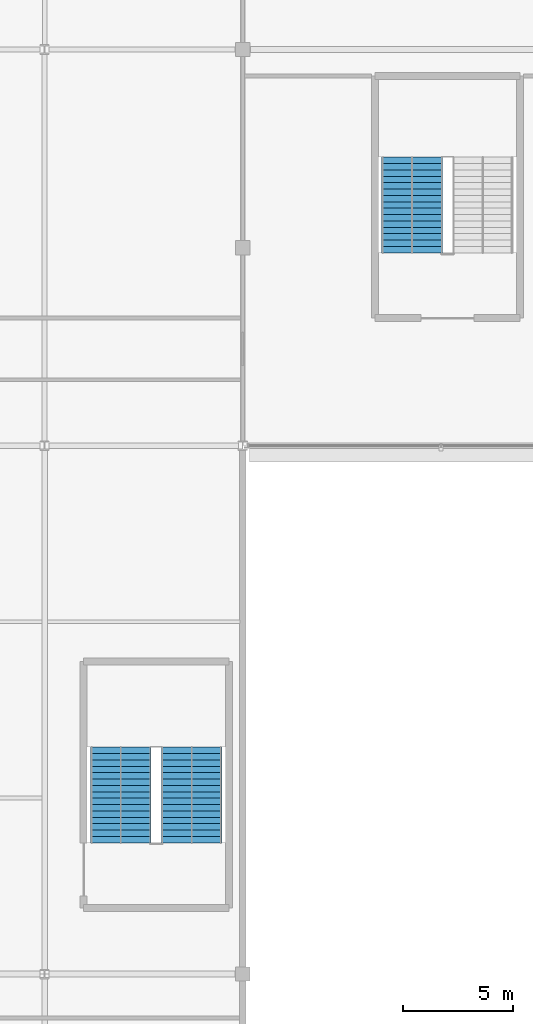
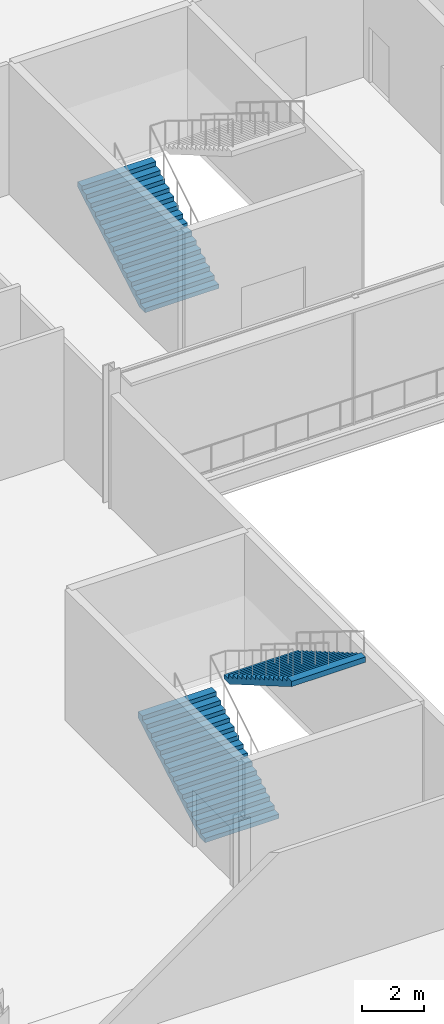
# One storey, part 86 of 113: 3 stair flights, 2 elements without a shape of their own.
"""IFC4 building model written with IfcOpenShell, lengths in metres."""

from ifc_helpers import new_model, si_unit, direction, frame, origin, place, context, subcontext, project, spatial, polygons, material, type_object, element, aggregate, save


model = new_model("IFC4")

# Units and contexts
model_context = context("Model", 3, precision=1e-05, world=origin(), true_north=direction((0.0, 1.0)))
body_context = subcontext(model_context, "Body", "Model", "MODEL_VIEW")
ifc_project = project(units=[si_unit("LENGTHUNIT", "METRE"), si_unit("AREAUNIT", "SQUARE_METRE"), si_unit("VOLUMEUNIT", "CUBIC_METRE"), si_unit("PLANEANGLEUNIT", "RADIAN"), si_unit("MASSUNIT", "GRAM", prefix="KILO")], contexts=[model_context])

# Site, building, storey
site_placement = place(None, origin())
site = spatial("IfcSite", under=ifc_project, at=site_placement, CompositionType="ELEMENT")
building_placement = place(site_placement, origin())
building = spatial("IfcBuilding", under=site, at=building_placement, Name="Kisiwana Market Hall", CompositionType="ELEMENT")
storey_placement = place(building_placement, frame((0.0, 0.0, 6.0)))
storey = spatial("IfcBuildingStorey", under=building, at=storey_placement, Name="L01", CompositionType="ELEMENT", Elevation=6.0)

# Stair, stair flights
ifc_material_1 = material(Name="Concrete C32/40", Category="concrete")
stair_type = type_object("IfcStairType", Name="ST-ESC-5400", PredefinedType="TWO_STRAIGHT_RUN_STAIR", material=ifc_material_1)
stair_1_placement = place(storey_placement, origin())
stair_1 = element("IfcStair", 1, at=stair_1_placement, inside=storey, type_object=stair_type, Name="Escape stair ST-W10-L01", PredefinedType="TWO_STRAIGHT_RUN_STAIR")
ifc_material_2 = material(Name="Concrete C32/40", Category="concrete")
stair_flight_type = type_object("IfcStairFlightType", Name="SF-ESC-5400", PredefinedType="STRAIGHT", material=ifc_material_2)
stair_flight_1_placement = place(storey_placement, frame((39.4599609375, 65.9599609375, 0.0), z_axis=(0.0, 0.0, 1.0), x_axis=(0.0, 1.0, 0.0)))
stair_flight_1 = element("IfcStairFlight", 2, at=stair_flight_1_placement, type_object=stair_flight_type, Name="ST-W10-L01 flight 1", NumberOfRisers=16, NumberOfTreads=15, PredefinedType="STRAIGHT", RiserHeight=0.16875, TreadLength=0.29, context=body_context, shape_type="Tessellation", body=[
    polygons([(0.0, -1.380127, 0.0), (0.0, -0.690125, 0.0), (0.0, -0.000122, 0.0), (0.0, 0.68988, 0.0), (0.0, 1.379883, 0.0), (0.0, -1.380127, 0.168701), (0.0, -0.690125, 0.168701), (0.0, -0.000122, 0.168701), (0.0, 0.68988, 0.168701), (0.0, 1.379883, 0.168701), (0.290039, -1.380127, 0.168701), (0.290039, -0.690125, 0.168701), (0.290039, -0.000122, 0.168701), (0.290039, 0.68988, 0.168701), (0.290039, 1.379883, 0.168701), (0.290039, -1.380127, 0.337402), (0.290039, -0.690125, 0.337402), (0.290039, -0.000122, 0.337402), (0.290039, 0.68988, 0.337402), (0.290039, 1.379883, 0.337402), (0.580078, -1.380127, 0.337402), (0.580078, -0.690125, 0.337402), (0.580078, -0.000122, 0.337402), (0.580078, 0.68988, 0.337402), (0.580078, 1.379883, 0.337402), (0.580078, -1.380127, 0.506348), (0.580078, -0.690125, 0.506348), (0.580078, -0.000122, 0.506348), (0.580078, 0.68988, 0.506348), (0.580078, 1.379883, 0.506348), (0.870117, -1.380127, 0.506348), (0.870117, -0.690125, 0.506348), (0.870117, -0.000122, 0.506348), (0.870117, 0.68988, 0.506348), (0.870117, 1.379883, 0.506348), (0.870117, -1.380127, 0.675049), (0.870117, -0.690125, 0.675049), (0.870117, -0.000122, 0.675049), (0.870117, 0.68988, 0.675049), (0.870117, 1.379883, 0.675049), (1.159912, -1.380127, 0.675049), (1.159912, -0.690125, 0.675049), (1.159912, -0.000122, 0.675049), (1.159912, 0.68988, 0.675049), (1.159912, 1.379883, 0.675049), (1.159912, -1.380127, 0.84375), (1.159912, -0.690125, 0.84375), (1.159912, -0.000122, 0.84375), (1.159912, 0.68988, 0.84375), (1.159912, 1.379883, 0.84375), (1.449951, -1.380127, 0.84375), (1.449951, -0.690125, 0.84375), (1.449951, -0.000122, 0.84375), (1.449951, 0.68988, 0.84375), (1.449951, 1.379883, 0.84375), (1.449951, -1.380127, 1.012451), (1.449951, -0.690125, 1.012451), (1.449951, -0.000122, 1.012451), (1.449951, 0.68988, 1.012451), (1.449951, 1.379883, 1.012451), (1.73999, -1.380127, 1.012451), (1.73999, -0.690125, 1.012451), (1.73999, -0.000122, 1.012451), (1.73999, 0.68988, 1.012451), (1.73999, 1.379883, 1.012451), (1.73999, -1.380127, 1.181152), (1.73999, -0.690125, 1.181152), (1.73999, -0.000122, 1.181152), (1.73999, 0.68988, 1.181152), (1.73999, 1.379883, 1.181152), (2.030029, -1.380127, 1.181152), (2.030029, -0.690125, 1.181152), (2.030029, -0.000122, 1.181152), (2.030029, 0.68988, 1.181152), (2.030029, 1.379883, 1.181152), (2.030029, -1.380127, 1.350098), (2.030029, -0.690125, 1.350098), (2.030029, -0.000122, 1.350098), (2.030029, 0.68988, 1.350098), (2.030029, 1.379883, 1.350098), (2.320068, -1.380127, 1.350098), (2.320068, -0.690125, 1.350098), (2.320068, -0.000122, 1.350098), (2.320068, 0.68988, 1.350098), (2.320068, 1.379883, 1.350098), (2.320068, -1.380127, 1.518799), (2.320068, -0.690125, 1.518799), (2.320068, -0.000122, 1.518799), (2.320068, 0.68988, 1.518799), (2.320068, 1.379883, 1.518799), (2.610107, -1.380127, 1.518799), (2.610107, -0.690125, 1.518799), (2.610107, -0.000122, 1.518799), (2.610107, 0.68988, 1.518799), (2.610107, 1.379883, 1.518799), (2.610107, -1.380127, 1.6875), (2.610107, -0.690125, 1.6875), (2.610107, -0.000122, 1.6875), (2.610107, 0.68988, 1.6875), (2.610107, 1.379883, 1.6875), (2.899902, -1.380127, 1.6875), (2.899902, -0.690125, 1.6875), (2.899902, -0.000122, 1.6875), (2.899902, 0.68988, 1.6875), (2.899902, 1.379883, 1.6875), (2.899902, -1.380127, 1.856201), (2.899902, -0.690125, 1.856201), (2.899902, -0.000122, 1.856201), (2.899902, 0.68988, 1.856201), (2.899902, 1.379883, 1.856201), (3.189941, -1.380127, 1.856201), (3.189941, -0.690125, 1.856201), (3.189941, -0.000122, 1.856201), (3.189941, 0.68988, 1.856201), (3.189941, 1.379883, 1.856201), (3.189941, -1.380127, 2.024902), (3.189941, -0.690125, 2.024902), (3.189941, -0.000122, 2.024902), (3.189941, 0.68988, 2.024902), (3.189941, 1.379883, 2.024902), (3.47998, -1.380127, 2.024902), (3.47998, -0.690125, 2.024902), (3.47998, -0.000122, 2.024902), (3.47998, 0.68988, 2.024902), (3.47998, 1.379883, 2.024902), (3.47998, -1.380127, 2.193848), (3.47998, -0.690125, 2.193848), (3.47998, -0.000122, 2.193848), (3.47998, 0.68988, 2.193848), (3.47998, 1.379883, 2.193848), (3.77002, -1.380127, 2.193848), (3.77002, -0.690125, 2.193848), (3.77002, -0.000122, 2.193848), (3.77002, 0.68988, 2.193848), (3.77002, 1.379883, 2.193848), (3.77002, -1.380127, 2.362549), (3.77002, -0.690125, 2.362549), (3.77002, -0.000122, 2.362549), (3.77002, 0.68988, 2.362549), (3.77002, 1.379883, 2.362549), (4.060059, -1.380127, 2.362549), (4.060059, -0.690125, 2.362549), (4.060059, -0.000122, 2.362549), (4.060059, 0.68988, 2.362549), (4.060059, 1.379883, 2.362549), (4.060059, -1.380127, 2.53125), (4.060059, -0.690125, 2.53125), (4.060059, -0.000122, 2.53125), (4.060059, 0.68988, 2.53125), (4.060059, 1.379883, 2.53125), (4.350098, -1.380127, 2.53125), (4.350098, -0.690125, 2.53125), (4.350098, -0.000122, 2.53125), (4.350098, 0.68988, 2.53125), (4.350098, 1.379883, 2.53125), (4.350098, -1.380127, 2.322998), (4.350098, -0.690125, 2.322998), (4.350098, -0.000122, 2.322998), (4.350098, 0.68988, 2.322998), (4.350098, 1.379883, 2.322998), (0.357666, -1.380127, 0.0), (0.357666, -0.690125, 0.0), (0.357666, -0.000122, 0.0), (0.357666, 0.68988, 0.0), (0.357666, 1.379883, 0.0)], [[[1, 6, 7, 2]], [[2, 7, 8, 3]], [[3, 8, 9, 4]], [[4, 9, 10, 5]], [[6, 11, 12, 7]], [[7, 12, 13, 8]], [[8, 13, 14, 9]], [[9, 14, 15, 10]], [[11, 16, 17, 12]], [[12, 17, 18, 13]], [[13, 18, 19, 14]], [[14, 19, 20, 15]], [[16, 21, 22, 17]], [[17, 22, 23, 18]], [[18, 23, 24, 19]], [[19, 24, 25, 20]], [[21, 26, 27, 22]], [[22, 27, 28, 23]], [[23, 28, 29, 24]], [[24, 29, 30, 25]], [[26, 31, 32, 27]], [[27, 32, 33, 28]], [[28, 33, 34, 29]], [[29, 34, 35, 30]], [[31, 36, 37, 32]], [[32, 37, 38, 33]], [[33, 38, 39, 34]], [[34, 39, 40, 35]], [[36, 41, 42, 37]], [[37, 42, 43, 38]], [[38, 43, 44, 39]], [[39, 44, 45, 40]], [[41, 46, 47, 42]], [[42, 47, 48, 43]], [[43, 48, 49, 44]], [[44, 49, 50, 45]], [[46, 51, 52, 47]], [[47, 52, 53, 48]], [[48, 53, 54, 49]], [[49, 54, 55, 50]], [[51, 56, 57, 52]], [[52, 57, 58, 53]], [[53, 58, 59, 54]], [[54, 59, 60, 55]], [[56, 61, 62, 57]], [[57, 62, 63, 58]], [[58, 63, 64, 59]], [[59, 64, 65, 60]], [[61, 66, 67, 62]], [[62, 67, 68, 63]], [[63, 68, 69, 64]], [[64, 69, 70, 65]], [[66, 71, 72, 67]], [[67, 72, 73, 68]], [[68, 73, 74, 69]], [[69, 74, 75, 70]], [[71, 76, 77, 72]], [[72, 77, 78, 73]], [[73, 78, 79, 74]], [[74, 79, 80, 75]], [[76, 81, 82, 77]], [[77, 82, 83, 78]], [[78, 83, 84, 79]], [[79, 84, 85, 80]], [[81, 86, 87, 82]], [[82, 87, 88, 83]], [[83, 88, 89, 84]], [[84, 89, 90, 85]], [[86, 91, 92, 87]], [[87, 92, 93, 88]], [[88, 93, 94, 89]], [[89, 94, 95, 90]], [[91, 96, 97, 92]], [[92, 97, 98, 93]], [[93, 98, 99, 94]], [[94, 99, 100, 95]], [[96, 101, 102, 97]], [[97, 102, 103, 98]], [[98, 103, 104, 99]], [[99, 104, 105, 100]], [[101, 106, 107, 102]], [[102, 107, 108, 103]], [[103, 108, 109, 104]], [[104, 109, 110, 105]], [[106, 111, 112, 107]], [[107, 112, 113, 108]], [[108, 113, 114, 109]], [[109, 114, 115, 110]], [[111, 116, 117, 112]], [[112, 117, 118, 113]], [[113, 118, 119, 114]], [[114, 119, 120, 115]], [[116, 121, 122, 117]], [[117, 122, 123, 118]], [[118, 123, 124, 119]], [[119, 124, 125, 120]], [[121, 126, 127, 122]], [[122, 127, 128, 123]], [[123, 128, 129, 124]], [[124, 129, 130, 125]], [[126, 131, 132, 127]], [[127, 132, 133, 128]], [[128, 133, 134, 129]], [[129, 134, 135, 130]], [[131, 136, 137, 132]], [[132, 137, 138, 133]], [[133, 138, 139, 134]], [[134, 139, 140, 135]], [[136, 141, 142, 137]], [[137, 142, 143, 138]], [[138, 143, 144, 139]], [[139, 144, 145, 140]], [[141, 146, 147, 142]], [[142, 147, 148, 143]], [[143, 148, 149, 144]], [[144, 149, 150, 145]], [[146, 151, 152, 147]], [[147, 152, 153, 148]], [[148, 153, 154, 149]], [[149, 154, 155, 150]], [[151, 156, 157, 152]], [[152, 157, 158, 153]], [[153, 158, 159, 154]], [[154, 159, 160, 155]], [[156, 161, 162, 157]], [[157, 162, 163, 158]], [[158, 163, 164, 159]], [[159, 164, 165, 160]], [[161, 1, 2, 162]], [[162, 2, 3, 163]], [[163, 3, 4, 164]], [[164, 4, 5, 165]], [[161, 156, 151, 146, 141, 136, 131, 126, 121, 116, 111, 106, 101, 96, 91, 86, 81, 76, 71, 66, 61, 56, 51, 46, 41, 36, 31, 26, 21, 16, 11, 6, 1]], [[5, 10, 15, 20, 25, 30, 35, 40, 45, 50, 55, 60, 65, 70, 75, 80, 85, 90, 95, 100, 105, 110, 115, 120, 125, 130, 135, 140, 145, 150, 155, 160, 165]]], closed=True),
])
stair_flight_2_placement = place(storey_placement, frame((42.679931640625, 70.31005859375, 2.699951171875), z_axis=(0.0, 0.0, 1.0), x_axis=(0.0, -1.0, 0.0)))
stair_flight_2 = element("IfcStairFlight", 3, at=stair_flight_2_placement, type_object=stair_flight_type, Name="ST-W10-L01 flight 2", NumberOfRisers=16, NumberOfTreads=15, PredefinedType="STRAIGHT", RiserHeight=0.16875, TreadLength=0.29, context=body_context, shape_type="Tessellation", body=[
    polygons([(0.0, -1.380127, 0.0), (0.0, -0.690125, 0.0), (0.0, -0.000122, 0.0), (0.0, 0.68988, 0.0), (0.0, 1.379883, 0.0), (0.0, -1.380127, 0.168701), (0.0, -0.690125, 0.168701), (0.0, -0.000122, 0.168701), (0.0, 0.68988, 0.168701), (0.0, 1.379883, 0.168701), (0.290039, -1.380127, 0.168701), (0.290039, -0.690125, 0.168701), (0.290039, -0.000122, 0.168701), (0.290039, 0.68988, 0.168701), (0.290039, 1.379883, 0.168701), (0.290039, -1.380127, 0.337402), (0.290039, -0.690125, 0.337402), (0.290039, -0.000122, 0.337402), (0.290039, 0.68988, 0.337402), (0.290039, 1.379883, 0.337402), (0.580078, -1.380127, 0.337402), (0.580078, -0.690125, 0.337402), (0.580078, -0.000122, 0.337402), (0.580078, 0.68988, 0.337402), (0.580078, 1.379883, 0.337402), (0.580078, -1.380127, 0.506348), (0.580078, -0.690125, 0.506348), (0.580078, -0.000122, 0.506348), (0.580078, 0.68988, 0.506348), (0.580078, 1.379883, 0.506348), (0.870117, -1.380127, 0.506348), (0.870117, -0.690125, 0.506348), (0.870117, -0.000122, 0.506348), (0.870117, 0.68988, 0.506348), (0.870117, 1.379883, 0.506348), (0.870117, -1.380127, 0.675049), (0.870117, -0.690125, 0.675049), (0.870117, -0.000122, 0.675049), (0.870117, 0.68988, 0.675049), (0.870117, 1.379883, 0.675049), (1.159912, -1.380127, 0.675049), (1.159912, -0.690125, 0.675049), (1.159912, -0.000122, 0.675049), (1.159912, 0.68988, 0.675049), (1.159912, 1.379883, 0.675049), (1.159912, -1.380127, 0.84375), (1.159912, -0.690125, 0.84375), (1.159912, -0.000122, 0.84375), (1.159912, 0.68988, 0.84375), (1.159912, 1.379883, 0.84375), (1.449951, -1.380127, 0.84375), (1.449951, -0.690125, 0.84375), (1.449951, -0.000122, 0.84375), (1.449951, 0.68988, 0.84375), (1.449951, 1.379883, 0.84375), (1.449951, -1.380127, 1.012451), (1.449951, -0.690125, 1.012451), (1.449951, -0.000122, 1.012451), (1.449951, 0.68988, 1.012451), (1.449951, 1.379883, 1.012451), (1.73999, -1.380127, 1.012451), (1.73999, -0.690125, 1.012451), (1.73999, -0.000122, 1.012451), (1.73999, 0.68988, 1.012451), (1.73999, 1.379883, 1.012451), (1.73999, -1.380127, 1.181152), (1.73999, -0.690125, 1.181152), (1.73999, -0.000122, 1.181152), (1.73999, 0.68988, 1.181152), (1.73999, 1.379883, 1.181152), (2.030029, -1.380127, 1.181152), (2.030029, -0.690125, 1.181152), (2.030029, -0.000122, 1.181152), (2.030029, 0.68988, 1.181152), (2.030029, 1.379883, 1.181152), (2.030029, -1.380127, 1.350098), (2.030029, -0.690125, 1.350098), (2.030029, -0.000122, 1.350098), (2.030029, 0.68988, 1.350098), (2.030029, 1.379883, 1.350098), (2.320068, -1.380127, 1.350098), (2.320068, -0.690125, 1.350098), (2.320068, -0.000122, 1.350098), (2.320068, 0.68988, 1.350098), (2.320068, 1.379883, 1.350098), (2.320068, -1.380127, 1.518799), (2.320068, -0.690125, 1.518799), (2.320068, -0.000122, 1.518799), (2.320068, 0.68988, 1.518799), (2.320068, 1.379883, 1.518799), (2.610107, -1.380127, 1.518799), (2.610107, -0.690125, 1.518799), (2.610107, -0.000122, 1.518799), (2.610107, 0.68988, 1.518799), (2.610107, 1.379883, 1.518799), (2.610107, -1.380127, 1.6875), (2.610107, -0.690125, 1.6875), (2.610107, -0.000122, 1.6875), (2.610107, 0.68988, 1.6875), (2.610107, 1.379883, 1.6875), (2.899902, -1.380127, 1.6875), (2.899902, -0.690125, 1.6875), (2.899902, -0.000122, 1.6875), (2.899902, 0.68988, 1.6875), (2.899902, 1.379883, 1.6875), (2.899902, -1.380127, 1.856201), (2.899902, -0.690125, 1.856201), (2.899902, -0.000122, 1.856201), (2.899902, 0.68988, 1.856201), (2.899902, 1.379883, 1.856201), (3.189941, -1.380127, 1.856201), (3.189941, -0.690125, 1.856201), (3.189941, -0.000122, 1.856201), (3.189941, 0.68988, 1.856201), (3.189941, 1.379883, 1.856201), (3.189941, -1.380127, 2.024902), (3.189941, -0.690125, 2.024902), (3.189941, -0.000122, 2.024902), (3.189941, 0.68988, 2.024902), (3.189941, 1.379883, 2.024902), (3.47998, -1.380127, 2.024902), (3.47998, -0.690125, 2.024902), (3.47998, -0.000122, 2.024902), (3.47998, 0.68988, 2.024902), (3.47998, 1.379883, 2.024902), (3.47998, -1.380127, 2.193848), (3.47998, -0.690125, 2.193848), (3.47998, -0.000122, 2.193848), (3.47998, 0.68988, 2.193848), (3.47998, 1.379883, 2.193848), (3.77002, -1.380127, 2.193848), (3.77002, -0.690125, 2.193848), (3.77002, -0.000122, 2.193848), (3.77002, 0.68988, 2.193848), (3.77002, 1.379883, 2.193848), (3.77002, -1.380127, 2.362549), (3.77002, -0.690125, 2.362549), (3.77002, -0.000122, 2.362549), (3.77002, 0.68988, 2.362549), (3.77002, 1.379883, 2.362549), (4.060059, -1.380127, 2.362549), (4.060059, -0.690125, 2.362549), (4.060059, -0.000122, 2.362549), (4.060059, 0.68988, 2.362549), (4.060059, 1.379883, 2.362549), (4.060059, -1.380127, 2.53125), (4.060059, -0.690125, 2.53125), (4.060059, -0.000122, 2.53125), (4.060059, 0.68988, 2.53125), (4.060059, 1.379883, 2.53125), (4.350098, -1.380127, 2.53125), (4.350098, -0.690125, 2.53125), (4.350098, -0.000122, 2.53125), (4.350098, 0.68988, 2.53125), (4.350098, 1.379883, 2.53125), (4.350098, -1.380127, 2.322998), (4.350098, -0.690125, 2.322998), (4.350098, -0.000122, 2.322998), (4.350098, 0.68988, 2.322998), (4.350098, 1.379883, 2.322998), (0.357666, -1.380127, 0.0), (0.357666, -0.690125, 0.0), (0.357666, -0.000122, 0.0), (0.357666, 0.68988, 0.0), (0.357666, 1.379883, 0.0)], [[[1, 6, 7, 2]], [[2, 7, 8, 3]], [[3, 8, 9, 4]], [[4, 9, 10, 5]], [[6, 11, 12, 7]], [[7, 12, 13, 8]], [[8, 13, 14, 9]], [[9, 14, 15, 10]], [[11, 16, 17, 12]], [[12, 17, 18, 13]], [[13, 18, 19, 14]], [[14, 19, 20, 15]], [[16, 21, 22, 17]], [[17, 22, 23, 18]], [[18, 23, 24, 19]], [[19, 24, 25, 20]], [[21, 26, 27, 22]], [[22, 27, 28, 23]], [[23, 28, 29, 24]], [[24, 29, 30, 25]], [[26, 31, 32, 27]], [[27, 32, 33, 28]], [[28, 33, 34, 29]], [[29, 34, 35, 30]], [[31, 36, 37, 32]], [[32, 37, 38, 33]], [[33, 38, 39, 34]], [[34, 39, 40, 35]], [[36, 41, 42, 37]], [[37, 42, 43, 38]], [[38, 43, 44, 39]], [[39, 44, 45, 40]], [[41, 46, 47, 42]], [[42, 47, 48, 43]], [[43, 48, 49, 44]], [[44, 49, 50, 45]], [[46, 51, 52, 47]], [[47, 52, 53, 48]], [[48, 53, 54, 49]], [[49, 54, 55, 50]], [[51, 56, 57, 52]], [[52, 57, 58, 53]], [[53, 58, 59, 54]], [[54, 59, 60, 55]], [[56, 61, 62, 57]], [[57, 62, 63, 58]], [[58, 63, 64, 59]], [[59, 64, 65, 60]], [[61, 66, 67, 62]], [[62, 67, 68, 63]], [[63, 68, 69, 64]], [[64, 69, 70, 65]], [[66, 71, 72, 67]], [[67, 72, 73, 68]], [[68, 73, 74, 69]], [[69, 74, 75, 70]], [[71, 76, 77, 72]], [[72, 77, 78, 73]], [[73, 78, 79, 74]], [[74, 79, 80, 75]], [[76, 81, 82, 77]], [[77, 82, 83, 78]], [[78, 83, 84, 79]], [[79, 84, 85, 80]], [[81, 86, 87, 82]], [[82, 87, 88, 83]], [[83, 88, 89, 84]], [[84, 89, 90, 85]], [[86, 91, 92, 87]], [[87, 92, 93, 88]], [[88, 93, 94, 89]], [[89, 94, 95, 90]], [[91, 96, 97, 92]], [[92, 97, 98, 93]], [[93, 98, 99, 94]], [[94, 99, 100, 95]], [[96, 101, 102, 97]], [[97, 102, 103, 98]], [[98, 103, 104, 99]], [[99, 104, 105, 100]], [[101, 106, 107, 102]], [[102, 107, 108, 103]], [[103, 108, 109, 104]], [[104, 109, 110, 105]], [[106, 111, 112, 107]], [[107, 112, 113, 108]], [[108, 113, 114, 109]], [[109, 114, 115, 110]], [[111, 116, 117, 112]], [[112, 117, 118, 113]], [[113, 118, 119, 114]], [[114, 119, 120, 115]], [[116, 121, 122, 117]], [[117, 122, 123, 118]], [[118, 123, 124, 119]], [[119, 124, 125, 120]], [[121, 126, 127, 122]], [[122, 127, 128, 123]], [[123, 128, 129, 124]], [[124, 129, 130, 125]], [[126, 131, 132, 127]], [[127, 132, 133, 128]], [[128, 133, 134, 129]], [[129, 134, 135, 130]], [[131, 136, 137, 132]], [[132, 137, 138, 133]], [[133, 138, 139, 134]], [[134, 139, 140, 135]], [[136, 141, 142, 137]], [[137, 142, 143, 138]], [[138, 143, 144, 139]], [[139, 144, 145, 140]], [[141, 146, 147, 142]], [[142, 147, 148, 143]], [[143, 148, 149, 144]], [[144, 149, 150, 145]], [[146, 151, 152, 147]], [[147, 152, 153, 148]], [[148, 153, 154, 149]], [[149, 154, 155, 150]], [[151, 156, 157, 152]], [[152, 157, 158, 153]], [[153, 158, 159, 154]], [[154, 159, 160, 155]], [[156, 161, 162, 157]], [[157, 162, 163, 158]], [[158, 163, 164, 159]], [[159, 164, 165, 160]], [[161, 1, 2, 162]], [[162, 2, 3, 163]], [[163, 3, 4, 164]], [[164, 4, 5, 165]], [[161, 156, 151, 146, 141, 136, 131, 126, 121, 116, 111, 106, 101, 96, 91, 86, 81, 76, 71, 66, 61, 56, 51, 46, 41, 36, 31, 26, 21, 16, 11, 6, 1]], [[5, 10, 15, 20, 25, 30, 35, 40, 45, 50, 55, 60, 65, 70, 75, 80, 85, 90, 95, 100, 105, 110, 115, 120, 125, 130, 135, 140, 145, 150, 155, 160, 165]]], closed=True),
])
aggregate(stair_1, [stair_flight_1, stair_flight_2])

# Stair, stair flight
stair_2_placement = place(storey_placement, origin())
stair_2 = element("IfcStair", 4, at=stair_2_placement, inside=storey, type_object=stair_type, Name="Escape stair ST-N3-L01", PredefinedType="TWO_STRAIGHT_RUN_STAIR")
stair_flight_3_placement = place(storey_placement, frame((52.68994140625, 92.760009765625, 0.0), z_axis=(0.0, 0.0, 1.0), x_axis=(0.0, 1.0, 0.0)))
stair_flight_3 = element("IfcStairFlight", 5, at=stair_flight_3_placement, type_object=stair_flight_type, Name="ST-N3-L01 flight 1", NumberOfRisers=16, NumberOfTreads=15, PredefinedType="STRAIGHT", RiserHeight=0.16875, TreadLength=0.29, context=body_context, shape_type="Tessellation", body=[
    polygons([(0.0, -1.380127, 0.0), (0.0, -0.690125, 0.0), (0.0, -0.000122, 0.0), (0.0, 0.68988, 0.0), (0.0, 1.379883, 0.0), (0.0, -1.380127, 0.168701), (0.0, -0.690125, 0.168701), (0.0, -0.000122, 0.168701), (0.0, 0.68988, 0.168701), (0.0, 1.379883, 0.168701), (0.290039, -1.380127, 0.168701), (0.290039, -0.690125, 0.168701), (0.290039, -0.000122, 0.168701), (0.290039, 0.68988, 0.168701), (0.290039, 1.379883, 0.168701), (0.290039, -1.380127, 0.337402), (0.290039, -0.690125, 0.337402), (0.290039, -0.000122, 0.337402), (0.290039, 0.68988, 0.337402), (0.290039, 1.379883, 0.337402), (0.580078, -1.380127, 0.337402), (0.580078, -0.690125, 0.337402), (0.580078, -0.000122, 0.337402), (0.580078, 0.68988, 0.337402), (0.580078, 1.379883, 0.337402), (0.580078, -1.380127, 0.506348), (0.580078, -0.690125, 0.506348), (0.580078, -0.000122, 0.506348), (0.580078, 0.68988, 0.506348), (0.580078, 1.379883, 0.506348), (0.870117, -1.380127, 0.506348), (0.870117, -0.690125, 0.506348), (0.870117, -0.000122, 0.506348), (0.870117, 0.68988, 0.506348), (0.870117, 1.379883, 0.506348), (0.870117, -1.380127, 0.675049), (0.870117, -0.690125, 0.675049), (0.870117, -0.000122, 0.675049), (0.870117, 0.68988, 0.675049), (0.870117, 1.379883, 0.675049), (1.159912, -1.380127, 0.675049), (1.159912, -0.690125, 0.675049), (1.159912, -0.000122, 0.675049), (1.159912, 0.68988, 0.675049), (1.159912, 1.379883, 0.675049), (1.159912, -1.380127, 0.84375), (1.159912, -0.690125, 0.84375), (1.159912, -0.000122, 0.84375), (1.159912, 0.68988, 0.84375), (1.159912, 1.379883, 0.84375), (1.449951, -1.380127, 0.84375), (1.449951, -0.690125, 0.84375), (1.449951, -0.000122, 0.84375), (1.449951, 0.68988, 0.84375), (1.449951, 1.379883, 0.84375), (1.449951, -1.380127, 1.012451), (1.449951, -0.690125, 1.012451), (1.449951, -0.000122, 1.012451), (1.449951, 0.68988, 1.012451), (1.449951, 1.379883, 1.012451), (1.73999, -1.380127, 1.012451), (1.73999, -0.690125, 1.012451), (1.73999, -0.000122, 1.012451), (1.73999, 0.68988, 1.012451), (1.73999, 1.379883, 1.012451), (1.73999, -1.380127, 1.181152), (1.73999, -0.690125, 1.181152), (1.73999, -0.000122, 1.181152), (1.73999, 0.68988, 1.181152), (1.73999, 1.379883, 1.181152), (2.030029, -1.380127, 1.181152), (2.030029, -0.690125, 1.181152), (2.030029, -0.000122, 1.181152), (2.030029, 0.68988, 1.181152), (2.030029, 1.379883, 1.181152), (2.030029, -1.380127, 1.350098), (2.030029, -0.690125, 1.350098), (2.030029, -0.000122, 1.350098), (2.030029, 0.68988, 1.350098), (2.030029, 1.379883, 1.350098), (2.320068, -1.380127, 1.350098), (2.320068, -0.690125, 1.350098), (2.320068, -0.000122, 1.350098), (2.320068, 0.68988, 1.350098), (2.320068, 1.379883, 1.350098), (2.320068, -1.380127, 1.518799), (2.320068, -0.690125, 1.518799), (2.320068, -0.000122, 1.518799), (2.320068, 0.68988, 1.518799), (2.320068, 1.379883, 1.518799), (2.610107, -1.380127, 1.518799), (2.610107, -0.690125, 1.518799), (2.610107, -0.000122, 1.518799), (2.610107, 0.68988, 1.518799), (2.610107, 1.379883, 1.518799), (2.610107, -1.380127, 1.6875), (2.610107, -0.690125, 1.6875), (2.610107, -0.000122, 1.6875), (2.610107, 0.68988, 1.6875), (2.610107, 1.379883, 1.6875), (2.899902, -1.380127, 1.6875), (2.899902, -0.690125, 1.6875), (2.899902, -0.000122, 1.6875), (2.899902, 0.68988, 1.6875), (2.899902, 1.379883, 1.6875), (2.899902, -1.380127, 1.856201), (2.899902, -0.690125, 1.856201), (2.899902, -0.000122, 1.856201), (2.899902, 0.68988, 1.856201), (2.899902, 1.379883, 1.856201), (3.189941, -1.380127, 1.856201), (3.189941, -0.690125, 1.856201), (3.189941, -0.000122, 1.856201), (3.189941, 0.68988, 1.856201), (3.189941, 1.379883, 1.856201), (3.189941, -1.380127, 2.024902), (3.189941, -0.690125, 2.024902), (3.189941, -0.000122, 2.024902), (3.189941, 0.68988, 2.024902), (3.189941, 1.379883, 2.024902), (3.47998, -1.380127, 2.024902), (3.47998, -0.690125, 2.024902), (3.47998, -0.000122, 2.024902), (3.47998, 0.68988, 2.024902), (3.47998, 1.379883, 2.024902), (3.47998, -1.380127, 2.193848), (3.47998, -0.690125, 2.193848), (3.47998, -0.000122, 2.193848), (3.47998, 0.68988, 2.193848), (3.47998, 1.379883, 2.193848), (3.77002, -1.380127, 2.193848), (3.77002, -0.690125, 2.193848), (3.77002, -0.000122, 2.193848), (3.77002, 0.68988, 2.193848), (3.77002, 1.379883, 2.193848), (3.77002, -1.380127, 2.362549), (3.77002, -0.690125, 2.362549), (3.77002, -0.000122, 2.362549), (3.77002, 0.68988, 2.362549), (3.77002, 1.379883, 2.362549), (4.060059, -1.380127, 2.362549), (4.060059, -0.690125, 2.362549), (4.060059, -0.000122, 2.362549), (4.060059, 0.68988, 2.362549), (4.060059, 1.379883, 2.362549), (4.060059, -1.380127, 2.53125), (4.060059, -0.690125, 2.53125), (4.060059, -0.000122, 2.53125), (4.060059, 0.68988, 2.53125), (4.060059, 1.379883, 2.53125), (4.350098, -1.380127, 2.53125), (4.350098, -0.690125, 2.53125), (4.350098, -0.000122, 2.53125), (4.350098, 0.68988, 2.53125), (4.350098, 1.379883, 2.53125), (4.350098, -1.380127, 2.322998), (4.350098, -0.690125, 2.322998), (4.350098, -0.000122, 2.322998), (4.350098, 0.68988, 2.322998), (4.350098, 1.379883, 2.322998), (0.357666, -1.380127, 0.0), (0.357666, -0.690125, 0.0), (0.357666, -0.000122, 0.0), (0.357666, 0.68988, 0.0), (0.357666, 1.379883, 0.0)], [[[1, 6, 7, 2]], [[2, 7, 8, 3]], [[3, 8, 9, 4]], [[4, 9, 10, 5]], [[6, 11, 12, 7]], [[7, 12, 13, 8]], [[8, 13, 14, 9]], [[9, 14, 15, 10]], [[11, 16, 17, 12]], [[12, 17, 18, 13]], [[13, 18, 19, 14]], [[14, 19, 20, 15]], [[16, 21, 22, 17]], [[17, 22, 23, 18]], [[18, 23, 24, 19]], [[19, 24, 25, 20]], [[21, 26, 27, 22]], [[22, 27, 28, 23]], [[23, 28, 29, 24]], [[24, 29, 30, 25]], [[26, 31, 32, 27]], [[27, 32, 33, 28]], [[28, 33, 34, 29]], [[29, 34, 35, 30]], [[31, 36, 37, 32]], [[32, 37, 38, 33]], [[33, 38, 39, 34]], [[34, 39, 40, 35]], [[36, 41, 42, 37]], [[37, 42, 43, 38]], [[38, 43, 44, 39]], [[39, 44, 45, 40]], [[41, 46, 47, 42]], [[42, 47, 48, 43]], [[43, 48, 49, 44]], [[44, 49, 50, 45]], [[46, 51, 52, 47]], [[47, 52, 53, 48]], [[48, 53, 54, 49]], [[49, 54, 55, 50]], [[51, 56, 57, 52]], [[52, 57, 58, 53]], [[53, 58, 59, 54]], [[54, 59, 60, 55]], [[56, 61, 62, 57]], [[57, 62, 63, 58]], [[58, 63, 64, 59]], [[59, 64, 65, 60]], [[61, 66, 67, 62]], [[62, 67, 68, 63]], [[63, 68, 69, 64]], [[64, 69, 70, 65]], [[66, 71, 72, 67]], [[67, 72, 73, 68]], [[68, 73, 74, 69]], [[69, 74, 75, 70]], [[71, 76, 77, 72]], [[72, 77, 78, 73]], [[73, 78, 79, 74]], [[74, 79, 80, 75]], [[76, 81, 82, 77]], [[77, 82, 83, 78]], [[78, 83, 84, 79]], [[79, 84, 85, 80]], [[81, 86, 87, 82]], [[82, 87, 88, 83]], [[83, 88, 89, 84]], [[84, 89, 90, 85]], [[86, 91, 92, 87]], [[87, 92, 93, 88]], [[88, 93, 94, 89]], [[89, 94, 95, 90]], [[91, 96, 97, 92]], [[92, 97, 98, 93]], [[93, 98, 99, 94]], [[94, 99, 100, 95]], [[96, 101, 102, 97]], [[97, 102, 103, 98]], [[98, 103, 104, 99]], [[99, 104, 105, 100]], [[101, 106, 107, 102]], [[102, 107, 108, 103]], [[103, 108, 109, 104]], [[104, 109, 110, 105]], [[106, 111, 112, 107]], [[107, 112, 113, 108]], [[108, 113, 114, 109]], [[109, 114, 115, 110]], [[111, 116, 117, 112]], [[112, 117, 118, 113]], [[113, 118, 119, 114]], [[114, 119, 120, 115]], [[116, 121, 122, 117]], [[117, 122, 123, 118]], [[118, 123, 124, 119]], [[119, 124, 125, 120]], [[121, 126, 127, 122]], [[122, 127, 128, 123]], [[123, 128, 129, 124]], [[124, 129, 130, 125]], [[126, 131, 132, 127]], [[127, 132, 133, 128]], [[128, 133, 134, 129]], [[129, 134, 135, 130]], [[131, 136, 137, 132]], [[132, 137, 138, 133]], [[133, 138, 139, 134]], [[134, 139, 140, 135]], [[136, 141, 142, 137]], [[137, 142, 143, 138]], [[138, 143, 144, 139]], [[139, 144, 145, 140]], [[141, 146, 147, 142]], [[142, 147, 148, 143]], [[143, 148, 149, 144]], [[144, 149, 150, 145]], [[146, 151, 152, 147]], [[147, 152, 153, 148]], [[148, 153, 154, 149]], [[149, 154, 155, 150]], [[151, 156, 157, 152]], [[152, 157, 158, 153]], [[153, 158, 159, 154]], [[154, 159, 160, 155]], [[156, 161, 162, 157]], [[157, 162, 163, 158]], [[158, 163, 164, 159]], [[159, 164, 165, 160]], [[161, 1, 2, 162]], [[162, 2, 3, 163]], [[163, 3, 4, 164]], [[164, 4, 5, 165]], [[161, 156, 151, 146, 141, 136, 131, 126, 121, 116, 111, 106, 101, 96, 91, 86, 81, 76, 71, 66, 61, 56, 51, 46, 41, 36, 31, 26, 21, 16, 11, 6, 1]], [[5, 10, 15, 20, 25, 30, 35, 40, 45, 50, 55, 60, 65, 70, 75, 80, 85, 90, 95, 100, 105, 110, 115, 120, 125, 130, 135, 140, 145, 150, 155, 160, 165]]], closed=True),
])
aggregate(stair_2, [stair_flight_3])

save(model, "model.ifc")
